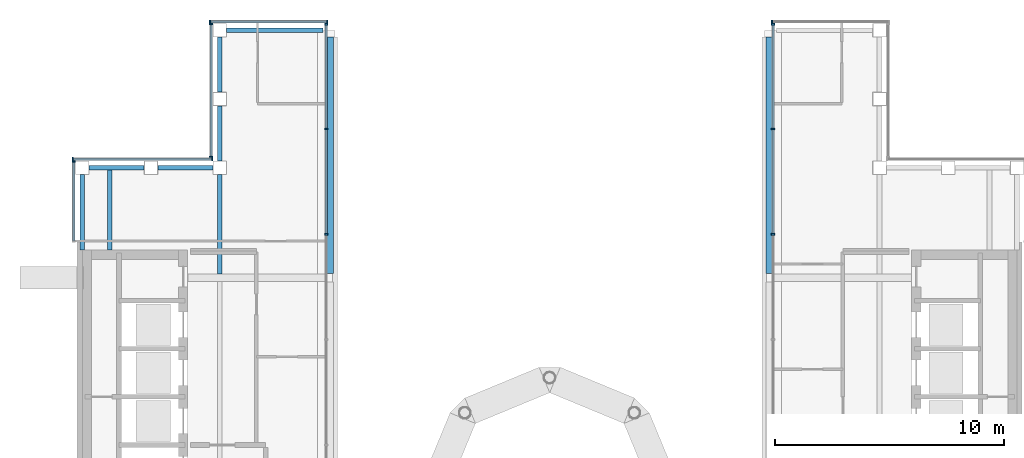
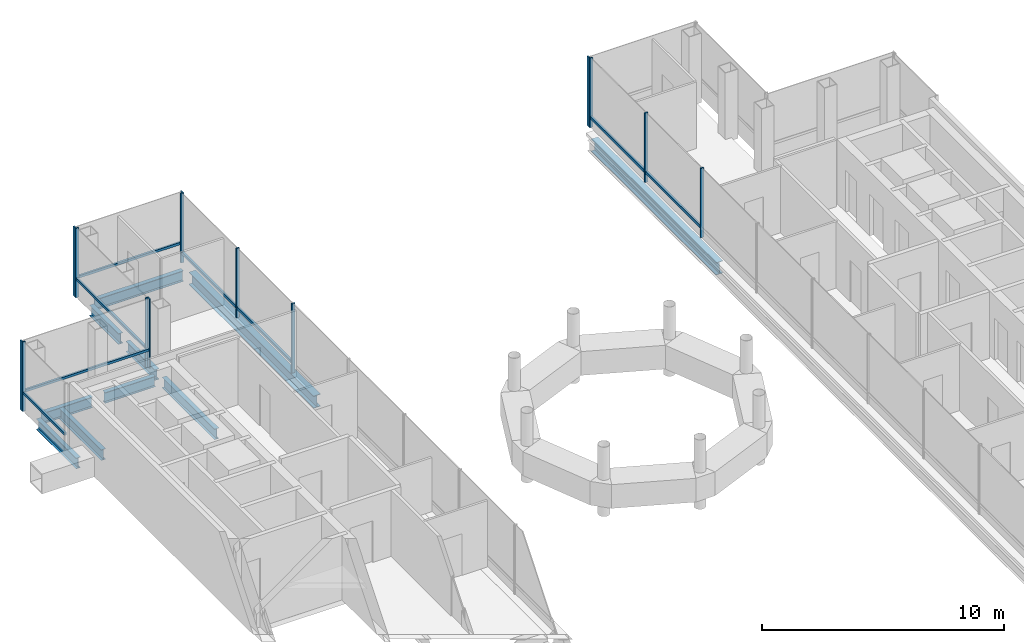
# One storey, part 13 of 21: 22 members, 10 beams, 7 elements without a shape of their own.
"""IFC4 building model written with IfcOpenShell, lengths in metres."""

from ifc_helpers import new_model, si_unit, direction, frame, origin, origin_2d, place, context, subcontext, project, spatial, rectangle, i_section, extrude, material, material_profile, profile_set, type_object, element, aggregate, save


model = new_model("IFC4")

# Units and contexts
model_context = context("Model", 3, precision=1e-05, world=origin(), true_north=direction((0.0, 1.0)))
body_context = subcontext(model_context, "Body", "Model", "MODEL_VIEW")
ifc_project = project(units=[si_unit("LENGTHUNIT", "METRE"), si_unit("AREAUNIT", "SQUARE_METRE"), si_unit("VOLUMEUNIT", "CUBIC_METRE"), si_unit("PLANEANGLEUNIT", "RADIAN"), si_unit("MASSUNIT", "GRAM", prefix="KILO")], contexts=[model_context])

# Site, building, storey
site_placement = place(None, origin())
site = spatial("IfcSite", under=ifc_project, at=site_placement, CompositionType="ELEMENT")
building_placement = place(site_placement, origin())
building = spatial("IfcBuilding", under=site, at=building_placement, Name="Cobrizo Arcos Hotel Tower", CompositionType="ELEMENT")
storey_placement = place(building_placement, frame((0.0, 0.0, 279.5)))
storey = spatial("IfcBuildingStorey", under=building, at=storey_placement, Name="L74", CompositionType="ELEMENT", Elevation=279.5)

# Curtain wall, member
ifc_material_1 = material(Name="Aluminium 6063-T6 anodised bronze", Category="aluminium")
curtain_wall_type_1 = type_object("IfcCurtainWallType", Name="CW-A guest facade", PredefinedType="NOTDEFINED", material=ifc_material_1)
curtain_wall_1_placement = place(storey_placement, origin())
curtain_wall_1 = element("IfcCurtainWall", 1, at=curtain_wall_1_placement, inside=storey, type_object=curtain_wall_type_1, Name="CW-A L74 N face", PredefinedType="NOTDEFINED")
ifc_material_profile_1 = material_profile(ifc_material_1, rectangle(XDim=0.14990234375, YDim=0.06005859375, at=origin_2d()), Name="CW-A mullion 150x60")
ifc_profile_set_1 = profile_set([ifc_material_profile_1], Name="Aluminium 6063-T6 anodised bronze")
member_type_1 = type_object("IfcMemberType", Name="CW-A mullion 150x60", PredefinedType="MULLION", material=ifc_profile_set_1)
member_1_placement = place(storey_placement, frame((9.707763671875, 20.77490234375, 0.0), z_axis=(0.0, 0.0, 1.0), x_axis=(0.0, 1.0, 0.0)))
member_1 = element("IfcMember", 2, at=member_1_placement, type_object=member_type_1, Name="CW-A mullion 2", PredefinedType="MULLION", context=body_context, shape_type="SweptSolid", body=[
    extrude(rectangle(XDim=0.14990234375, YDim=0.06005859375, at=origin_2d()), origin(), (0.0, 0.0, 1.0), 3.5),
])
aggregate(curtain_wall_1, [member_1])

# Curtain wall, members
curtain_wall_2_placement = place(storey_placement, origin())
curtain_wall_2 = element("IfcCurtainWall", 3, at=curtain_wall_2_placement, inside=storey, type_object=curtain_wall_type_1, Name="CW-A L74 N face", PredefinedType="NOTDEFINED")
member_2_placement = place(storey_placement, frame((-9.707763671875, 20.77490234375, 0.0), z_axis=(0.0, 0.0, 1.0), x_axis=(0.0, 1.0, 0.0)))
member_2 = element("IfcMember", 4, at=member_2_placement, type_object=member_type_1, Name="CW-A mullion 1", PredefinedType="MULLION", context=body_context, shape_type="SweptSolid", body=[
    extrude(rectangle(XDim=0.14990234375, YDim=0.06005859375, at=origin_2d()), origin(), (0.0, 0.0, 1.0), 3.5),
])
member_3_placement = place(storey_placement, frame((-14.820068359375, 20.77490234375, 0.0), z_axis=(0.0, 0.0, 1.0), x_axis=(0.0, 1.0, 0.0)))
member_3 = element("IfcMember", 5, at=member_3_placement, type_object=member_type_1, Name="CW-A mullion 2", PredefinedType="MULLION", context=body_context, shape_type="SweptSolid", body=[
    extrude(rectangle(XDim=0.14990234375, YDim=0.06005859375, at=origin_2d()), origin(), (0.0, 0.0, 1.0), 3.5),
])

curtain_wall_3_placement = place(storey_placement, origin())
curtain_wall_3 = element("IfcCurtainWall", 6, at=curtain_wall_3_placement, inside=storey, type_object=curtain_wall_type_1, Name="CW-A L74 W face", PredefinedType="NOTDEFINED")
member_4_placement = place(storey_placement, frame((-14.77490234375, 20.669921875, 0.0), z_axis=(0.0, 0.0, 1.0), x_axis=(-1.0, 0.0, 0.0)))
member_4 = element("IfcMember", 7, at=member_4_placement, type_object=member_type_1, Name="CW-A mullion 1", PredefinedType="MULLION", context=body_context, shape_type="SweptSolid", body=[
    extrude(rectangle(XDim=0.14990234375, YDim=0.06005859375, at=origin_2d()), origin(), (0.0, 0.0, 1.0), 3.5),
])
member_5_placement = place(storey_placement, frame((-14.77490234375, 14.8798828125, 0.0), z_axis=(0.0, 0.0, 1.0), x_axis=(-1.0, 0.0, 0.0)))
member_5 = element("IfcMember", 8, at=member_5_placement, type_object=member_type_1, Name="CW-A mullion 2", PredefinedType="MULLION", context=body_context, shape_type="SweptSolid", body=[
    extrude(rectangle(XDim=0.14990234375, YDim=0.06005859375, at=origin_2d()), origin(), (0.0, 0.0, 1.0), 3.5),
])

curtain_wall_4_placement = place(storey_placement, origin())
curtain_wall_4 = element("IfcCurtainWall", 9, at=curtain_wall_4_placement, inside=storey, type_object=curtain_wall_type_1, Name="CW-A L74 N face", PredefinedType="NOTDEFINED")
member_6_placement = place(storey_placement, frame((-14.72998046875, 14.77490234375, 0.0), z_axis=(0.0, 0.0, 1.0), x_axis=(0.0, 1.0, 0.0)))
member_6 = element("IfcMember", 10, at=member_6_placement, type_object=member_type_1, Name="CW-A mullion 1", PredefinedType="MULLION", context=body_context, shape_type="SweptSolid", body=[
    extrude(rectangle(XDim=0.14990234375, YDim=0.06005859375, at=origin_2d()), origin(), (0.0, 0.0, 1.0), 3.5),
])
member_7_placement = place(storey_placement, frame((-20.820068359375, 14.77490234375, 0.0), z_axis=(0.0, 0.0, 1.0), x_axis=(0.0, 1.0, 0.0)))
member_7 = element("IfcMember", 11, at=member_7_placement, type_object=member_type_1, Name="CW-A mullion 2", PredefinedType="MULLION", context=body_context, shape_type="SweptSolid", body=[
    extrude(rectangle(XDim=0.14990234375, YDim=0.06005859375, at=origin_2d()), origin(), (0.0, 0.0, 1.0), 3.5),
])

# Curtain wall, member
curtain_wall_5_placement = place(storey_placement, origin())
curtain_wall_5 = element("IfcCurtainWall", 12, at=curtain_wall_5_placement, inside=storey, type_object=curtain_wall_type_1, Name="CW-A L74 W face", PredefinedType="NOTDEFINED")
member_8_placement = place(storey_placement, frame((-20.77490234375, 14.669921875, 0.0), z_axis=(0.0, 0.0, 1.0), x_axis=(-1.0, 0.0, 0.0)))
member_8 = element("IfcMember", 13, at=member_8_placement, type_object=member_type_1, Name="CW-A mullion 1", PredefinedType="MULLION", context=body_context, shape_type="SweptSolid", body=[
    extrude(rectangle(XDim=0.14990234375, YDim=0.06005859375, at=origin_2d()), origin(), (0.0, 0.0, 1.0), 3.5),
])

# Member
ifc_material_profile_2 = material_profile(ifc_material_1, rectangle(XDim=0.10009765625, YDim=0.1201171875, at=origin_2d()), Name="CW-A transom 120x100")
ifc_profile_set_2 = profile_set([ifc_material_profile_2], Name="Aluminium 6063-T6 anodised bronze")
member_type_2 = type_object("IfcMemberType", Name="CW-A transom 120x100", PredefinedType="USERDEFINED", material=ifc_profile_set_2)
member_9_placement = place(storey_placement, frame((-9.73779296875, 20.77490234375, 0.929931640625), z_axis=(-1.0, 0.0, 0.0), x_axis=(0.0, -1.0, 0.0)))
member_9 = element("IfcMember", 14, at=member_9_placement, type_object=member_type_2, Name="CW-A transom 2351", ObjectType="TRANSOM", PredefinedType="USERDEFINED", context=body_context, shape_type="SweptSolid", body=[
    extrude(rectangle(XDim=0.10009765625, YDim=0.1201171875, at=origin_2d()), origin(), (0.0, 0.0, 1.0), 5.05224609375),
])

aggregate(curtain_wall_2, [member_2, member_3, member_9])

member_10_placement = place(storey_placement, frame((-14.77490234375, 20.639892578125, 0.929931640625), z_axis=(0.0, -1.0, 0.0), x_axis=(1.0, 0.0, 0.0)))
member_10 = element("IfcMember", 15, at=member_10_placement, type_object=member_type_2, Name="CW-A transom 2352", ObjectType="TRANSOM", PredefinedType="USERDEFINED", context=body_context, shape_type="SweptSolid", body=[
    extrude(rectangle(XDim=0.10009765625, YDim=0.1201171875, at=origin_2d()), origin(), (0.0, 0.0, 1.0), 5.72998046875),
])

aggregate(curtain_wall_3, [member_4, member_5, member_10])

member_11_placement = place(storey_placement, frame((-14.760009765625, 14.77490234375, 0.929931640625), z_axis=(-1.0, 0.0, 0.0), x_axis=(0.0, -1.0, 0.0)))
member_11 = element("IfcMember", 16, at=member_11_placement, type_object=member_type_2, Name="CW-A transom 2353", ObjectType="TRANSOM", PredefinedType="USERDEFINED", context=body_context, shape_type="SweptSolid", body=[
    extrude(rectangle(XDim=0.10009765625, YDim=0.1201171875, at=origin_2d()), origin(), (0.0, 0.0, 1.0), 6.030029296875),
])

aggregate(curtain_wall_4, [member_6, member_7, member_11])

member_12_placement = place(storey_placement, frame((-20.77490234375, 14.639892578125, 0.929931640625), z_axis=(0.0, -1.0, 0.0), x_axis=(1.0, 0.0, 0.0)))
member_12 = element("IfcMember", 17, at=member_12_placement, type_object=member_type_2, Name="CW-A transom 2354", ObjectType="TRANSOM", PredefinedType="USERDEFINED", context=body_context, shape_type="SweptSolid", body=[
    extrude(rectangle(XDim=0.10009765625, YDim=0.1201171875, at=origin_2d()), origin(), (0.0, 0.0, 1.0), 3.429931640625),
])

aggregate(curtain_wall_5, [member_8, member_12])

# Curtain wall, members
curtain_wall_type_2 = type_object("IfcCurtainWallType", Name="CW-C arch infill and crown glazing", PredefinedType="NOTDEFINED", material=ifc_material_1)
curtain_wall_6_placement = place(storey_placement, origin())
curtain_wall_6 = element("IfcCurtainWall", 18, at=curtain_wall_6_placement, inside=storey, type_object=curtain_wall_type_2, Name="CW-C L74 W face", PredefinedType="NOTDEFINED")
ifc_material_profile_3 = material_profile(ifc_material_1, rectangle(XDim=0.14990234375, YDim=0.070068359375, at=origin_2d()), Name="CW-C mullion 150x70")
ifc_profile_set_3 = profile_set([ifc_material_profile_3], Name="Aluminium 6063-T6 anodised bronze")
member_type_3 = type_object("IfcMemberType", Name="CW-C mullion 150x70", PredefinedType="MULLION", material=ifc_profile_set_3)
member_13_placement = place(storey_placement, frame((9.7529296875, 20.6650390625, 0.0), z_axis=(0.0, 0.0, 1.0), x_axis=(-1.0, 0.0, 0.0)))
member_13 = element("IfcMember", 19, at=member_13_placement, type_object=member_type_3, Name="CW-C mullion 1", PredefinedType="MULLION", context=body_context, shape_type="SweptSolid", body=[
    extrude(rectangle(XDim=0.14990234375, YDim=0.070068359375, at=origin_2d()), origin(), (0.0, 0.0, 1.0), 3.5),
])
member_14_placement = place(storey_placement, frame((9.7529296875, 16.10009765625, 0.0), z_axis=(0.0, 0.0, 1.0), x_axis=(-1.0, 0.0, 0.0)))
member_14 = element("IfcMember", 20, at=member_14_placement, type_object=member_type_3, Name="CW-C mullion 2", PredefinedType="MULLION", context=body_context, shape_type="SweptSolid", body=[
    extrude(rectangle(XDim=0.14990234375, YDim=0.070068359375, at=origin_2d()), origin(), (0.0, 0.0, 1.0), 3.5),
])
member_15_placement = place(storey_placement, frame((9.7529296875, 11.5, 0.0), z_axis=(0.0, 0.0, 1.0), x_axis=(-1.0, 0.0, 0.0)))
member_15 = element("IfcMember", 21, at=member_15_placement, type_object=member_type_3, Name="CW-C mullion 3", PredefinedType="MULLION", context=body_context, shape_type="SweptSolid", body=[
    extrude(rectangle(XDim=0.14990234375, YDim=0.070068359375, at=origin_2d()), origin(), (0.0, 0.0, 1.0), 3.5),
])

curtain_wall_7_placement = place(storey_placement, origin())
curtain_wall_7 = element("IfcCurtainWall", 22, at=curtain_wall_7_placement, inside=storey, type_object=curtain_wall_type_2, Name="CW-C L74 E face", PredefinedType="NOTDEFINED")
member_16_placement = place(storey_placement, frame((-9.7529296875, 11.5, 0.0), z_axis=(0.0, 0.0, 1.0), x_axis=(1.0, 0.0, 0.0)))
member_16 = element("IfcMember", 23, at=member_16_placement, type_object=member_type_3, Name="CW-C mullion 8", PredefinedType="MULLION", context=body_context, shape_type="SweptSolid", body=[
    extrude(rectangle(XDim=0.14990234375, YDim=0.070068359375, at=origin_2d()), origin(), (0.0, 0.0, 1.0), 3.5),
])
member_17_placement = place(storey_placement, frame((-9.7529296875, 16.10009765625, 0.0), z_axis=(0.0, 0.0, 1.0), x_axis=(1.0, 0.0, 0.0)))
member_17 = element("IfcMember", 24, at=member_17_placement, type_object=member_type_3, Name="CW-C mullion 9", PredefinedType="MULLION", context=body_context, shape_type="SweptSolid", body=[
    extrude(rectangle(XDim=0.14990234375, YDim=0.070068359375, at=origin_2d()), origin(), (0.0, 0.0, 1.0), 3.5),
])
member_18_placement = place(storey_placement, frame((-9.7529296875, 20.6650390625, 0.0), z_axis=(0.0, 0.0, 1.0), x_axis=(1.0, 0.0, 0.0)))
member_18 = element("IfcMember", 25, at=member_18_placement, type_object=member_type_3, Name="CW-C mullion 10", PredefinedType="MULLION", context=body_context, shape_type="SweptSolid", body=[
    extrude(rectangle(XDim=0.14990234375, YDim=0.070068359375, at=origin_2d()), origin(), (0.0, 0.0, 1.0), 3.5),
])

# Member
ifc_material_profile_4 = material_profile(ifc_material_1, rectangle(XDim=0.10009765625, YDim=0.139892578125, at=origin_2d()), Name="CW-C transom 140x100")
ifc_profile_set_4 = profile_set([ifc_material_profile_4], Name="Aluminium 6063-T6 anodised bronze")
member_type_4 = type_object("IfcMemberType", Name="CW-C transom 140x100", PredefinedType="USERDEFINED", material=ifc_profile_set_4)
member_19_placement = place(storey_placement, frame((9.7529296875, 20.6298828125, 0.5), z_axis=(0.0, -1.0, 0.0), x_axis=(1.0, 0.0, 0.0)))
member_19 = element("IfcMember", 26, at=member_19_placement, type_object=member_type_4, Name="CW-C transom 2325", ObjectType="TRANSOM", PredefinedType="USERDEFINED", context=body_context, shape_type="SweptSolid", body=[
    extrude(rectangle(XDim=0.10009765625, YDim=0.139892578125, at=origin_2d()), origin(), (0.0, 0.0, 1.0), 4.494873046875),
])

member_20_placement = place(storey_placement, frame((9.7529296875, 16.06494140625, 0.5), z_axis=(0.0, -1.0, 0.0), x_axis=(1.0, 0.0, 0.0)))
member_20 = element("IfcMember", 27, at=member_20_placement, type_object=member_type_4, Name="CW-C transom 2326", ObjectType="TRANSOM", PredefinedType="USERDEFINED", context=body_context, shape_type="SweptSolid", body=[
    extrude(rectangle(XDim=0.10009765625, YDim=0.139892578125, at=origin_2d()), origin(), (0.0, 0.0, 1.0), 4.530029296875),
])

aggregate(curtain_wall_6, [member_13, member_14, member_15, member_19, member_20])

member_21_placement = place(storey_placement, frame((-9.7529296875, 11.534912109375, 0.5), z_axis=(0.0, 1.0, 0.0), x_axis=(-1.0, 0.0, 0.0)))
member_21 = element("IfcMember", 28, at=member_21_placement, type_object=member_type_4, Name="CW-C transom 2349", ObjectType="TRANSOM", PredefinedType="USERDEFINED", context=body_context, shape_type="SweptSolid", body=[
    extrude(rectangle(XDim=0.10009765625, YDim=0.139892578125, at=origin_2d()), origin(), (0.0, 0.0, 1.0), 4.530029296875),
])

member_22_placement = place(storey_placement, frame((-9.7529296875, 16.135009765625, 0.5), z_axis=(0.0, 1.0, 0.0), x_axis=(-1.0, 0.0, 0.0)))
member_22 = element("IfcMember", 29, at=member_22_placement, type_object=member_type_4, Name="CW-C transom 2350", ObjectType="TRANSOM", PredefinedType="USERDEFINED", context=body_context, shape_type="SweptSolid", body=[
    extrude(rectangle(XDim=0.10009765625, YDim=0.139892578125, at=origin_2d()), origin(), (0.0, 0.0, 1.0), 4.494873046875),
])

aggregate(curtain_wall_7, [member_16, member_17, member_18, member_21, member_22])

# Beams
ifc_material_2 = material(Name="Steel ASTM A992 Grade 50", Category="steel")
ifc_material_profile_5 = material_profile(ifc_material_2, i_section(OverallWidth=0.209228515625, OverallDepth=0.533447265625, WebThickness=0.01025390625, FlangeThickness=0.015625, at=origin_2d()), Name="W21X62")
ifc_profile_set_5 = profile_set([ifc_material_profile_5], Name="Steel ASTM A992 Grade 50")
beam_type_1 = type_object("IfcBeamType", Name="W21X62 joist", PredefinedType="JOIST", material=ifc_profile_set_5)
beam_1_placement = place(storey_placement, frame((-19.199951171875, 10.81005859375, -0.416748046875), z_axis=(0.0, 1.0, 0.0), x_axis=(-1.0, 0.0, 0.0)))
element("IfcBeam", 30, at=beam_1_placement, inside=storey, type_object=beam_type_1, Name="Floor joist J1, L74, no. 002", PredefinedType="JOIST", context=body_context, shape_type="SweptSolid", body=[
    extrude(i_section(OverallWidth=0.209228515625, OverallDepth=0.533447265625, WebThickness=0.01025390625, FlangeThickness=0.015625, at=origin_2d()), origin(), (0.0, 0.0, 1.0), 3.5),
])
beam_2_placement = place(storey_placement, frame((-14.39990234375, 9.763916015625, -0.416748046875), z_axis=(0.0, 1.0, 0.0), x_axis=(-1.0, 0.0, 0.0)))
element("IfcBeam", 31, at=beam_2_placement, inside=storey, type_object=beam_type_1, Name="Floor joist J1, L74, no. 006", PredefinedType="JOIST", context=body_context, shape_type="SweptSolid", body=[
    extrude(i_section(OverallWidth=0.209228515625, OverallDepth=0.533447265625, WebThickness=0.01025390625, FlangeThickness=0.015625, at=origin_2d()), origin(), (0.0, 0.0, 1.0), 4.336181640625),
])
ifc_material_profile_6 = material_profile(ifc_material_2, i_section(OverallWidth=0.209228515625, OverallDepth=0.533447265625, WebThickness=0.01025390625, FlangeThickness=0.015625, at=origin_2d()), Name="W21X62")
ifc_profile_set_6 = profile_set([ifc_material_profile_6], Name="Steel ASTM A992 Grade 50")
beam_type_2 = type_object("IfcBeamType", Name="W21X62 spandrel", PredefinedType="SPANDREL", material=ifc_profile_set_6)
beam_3_placement = place(storey_placement, frame((-20.39990234375, 10.81005859375, -0.416748046875), z_axis=(0.0, 1.0, 0.0), x_axis=(-1.0, 0.0, 0.0)))
element("IfcBeam", 32, at=beam_3_placement, inside=storey, type_object=beam_type_2, Name="Spandrel beam W21X62, L74, no. 002", PredefinedType="SPANDREL", context=body_context, shape_type="SweptSolid", body=[
    extrude(i_section(OverallWidth=0.209228515625, OverallDepth=0.533447265625, WebThickness=0.01025390625, FlangeThickness=0.015625, at=origin_2d()), origin(), (0.0, 0.0, 1.0), 3.2900390625),
])
for number, where, z_axis, x_axis, name in (
    (33, (-20.10009765625, 14.39990234375, -0.416748046875), (1.0, 0.0, 0.0), (0.0, 1.0, 0.0), "Spandrel beam W21X62, L74, no. 003"),
    (34, (-17.10009765625, 14.39990234375, -0.416748046875), (1.0, 0.0, 0.0), (0.0, 1.0, 0.0), "Spandrel beam W21X62, L74, no. 004"),
    (35, (-14.39990234375, 14.699951171875, -0.416748046875), (0.0, 1.0, 0.0), (-1.0, 0.0, 0.0), "Spandrel beam W21X62, L74, no. 005"),
    (36, (-14.39990234375, 17.699951171875, -0.416748046875), (0.0, 1.0, 0.0), (-1.0, 0.0, 0.0), "Spandrel beam W21X62, L74, no. 006"),
):
    element("IfcBeam", number, at=place(storey_placement, frame(where, z_axis=z_axis, x_axis=x_axis)), inside=storey, type_object=beam_type_2, Name=name, PredefinedType="SPANDREL", context=body_context, shape_type="SweptSolid", body=[
        extrude(i_section(OverallWidth=0.209228515625, OverallDepth=0.533447265625, WebThickness=0.01025390625, FlangeThickness=0.015625, at=origin_2d()), origin(), (0.0, 0.0, 1.0), 2.400146484375),
    ])
beam_4_placement = place(storey_placement, frame((-14.10009765625, 20.39990234375, -0.416748046875), z_axis=(1.0, 0.0, 0.0), x_axis=(0.0, 1.0, 0.0)))
element("IfcBeam", 37, at=beam_4_placement, inside=storey, type_object=beam_type_2, Name="Spandrel beam W21X62, L74, no. 007", PredefinedType="SPANDREL", context=body_context, shape_type="SweptSolid", body=[
    extrude(i_section(OverallWidth=0.209228515625, OverallDepth=0.533447265625, WebThickness=0.01025390625, FlangeThickness=0.015625, at=origin_2d()), origin(), (0.0, 0.0, 1.0), 4.2001953125),
])
ifc_material_profile_7 = material_profile(ifc_material_2, i_section(OverallWidth=0.32763671875, OverallDepth=0.622314453125, WebThickness=0.015380859375, FlangeThickness=0.0244140625, at=origin_2d()), Name="W24X131")
ifc_profile_set_7 = profile_set([ifc_material_profile_7], Name="Steel ASTM A992 Grade 50")
beam_type_3 = type_object("IfcBeamType", Name="W24X131 girder", PredefinedType="BEAM", material=ifc_profile_set_7)
for number, where, z_axis, x_axis, name in (
    (38, (-9.60009765625, 9.7841796875, -0.461181640625), (0.0, 1.0, 0.0), (-1.0, 0.0, 0.0), "Floor girder G1, L74, no. 010"),
    (39, (9.60009765625, 9.7841796875, -0.461181640625), (0.0, 1.0, 0.0), (-1.0, 0.0, 0.0), "Floor girder G1, L74, no. 014"),
):
    element("IfcBeam", number, at=place(storey_placement, frame(where, z_axis=z_axis, x_axis=x_axis)), inside=storey, type_object=beam_type_3, Name=name, PredefinedType="BEAM", context=body_context, shape_type="SweptSolid", body=[
        extrude(i_section(OverallWidth=0.32763671875, OverallDepth=0.622314453125, WebThickness=0.015380859375, FlangeThickness=0.0244140625, at=origin_2d()), origin(), (0.0, 0.0, 1.0), 10.31591796875),
    ])

save(model, "model.ifc")
